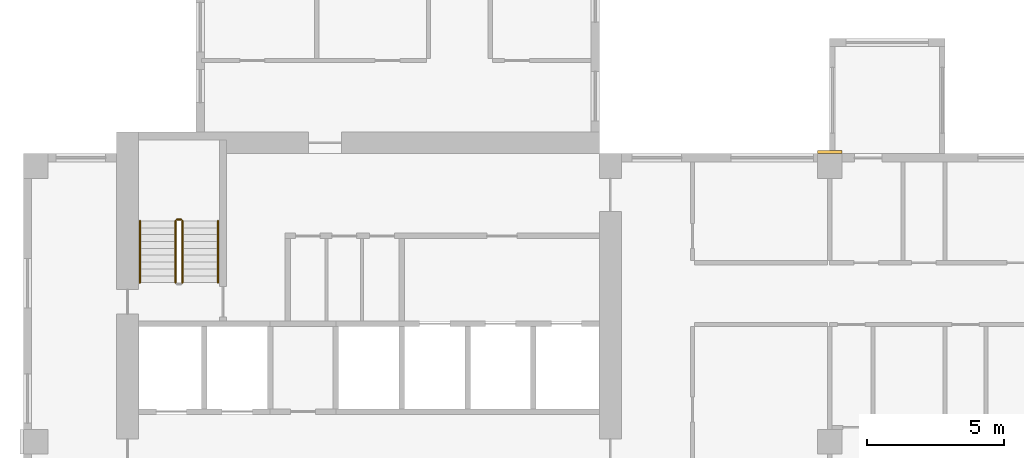
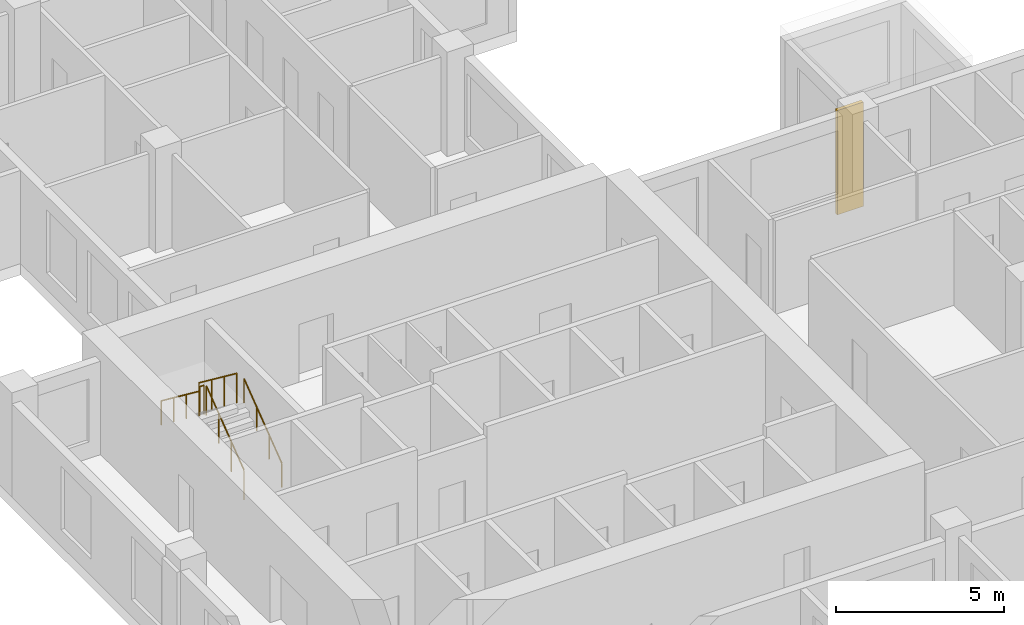
# One storey, part 10 of 12: 5 railings, 1 covering.
"""IFC4 building model written with IfcOpenShell, lengths in metres."""

from ifc_helpers import new_model, si_unit, direction, frame, origin, origin_2d, place, context, subcontext, project, spatial, rectangle, circle, extrude, source, transform, mapped, material, type_object, element, save


model = new_model("IFC4")

# Units and contexts
model_context = context("Model", 3, precision=1e-05, world=origin(), true_north=direction((0.0, 1.0)))
body_context = subcontext(model_context, "Body", "Model", "MODEL_VIEW")
ifc_project = project(units=[si_unit("LENGTHUNIT", "METRE"), si_unit("AREAUNIT", "SQUARE_METRE"), si_unit("VOLUMEUNIT", "CUBIC_METRE"), si_unit("PLANEANGLEUNIT", "RADIAN"), si_unit("MASSUNIT", "GRAM", prefix="KILO")], contexts=[model_context])

# Site, building, storey
site_placement = place(None, origin())
site = spatial("IfcSite", under=ifc_project, at=site_placement, CompositionType="ELEMENT")
building_placement = place(site_placement, origin())
building = spatial("IfcBuilding", under=site, at=building_placement, Name="Aurelian Terraces", CompositionType="ELEMENT")
storey_placement = place(building_placement, frame((0.0, 0.0, 219.6)))
storey = spatial("IfcBuildingStorey", under=building, at=storey_placement, Name="L49", CompositionType="ELEMENT", Elevation=219.6)

# Covering
ifc_material_1 = material(Name="Terracotta rainscreen cladding relief", Category="masonry")
covering_type = type_object("IfcCoveringType", Name="BAGUETTE-TC", PredefinedType="CLADDING", material=ifc_material_1)
shared_shape_1 = source(origin(), body_context, "Body", "SweptSolid", [
    extrude(rectangle(XDim=0.9, YDim=0.12, at=origin_2d()), origin(), (0.0, 0.0, 1.0), 3.8),
])
covering_placement = place(storey_placement, frame((29.4, 21.06, -0.4), z_axis=(0.0, 0.0, 1.0), x_axis=(1.0, 0.0, 0.0)))
element("IfcCovering", 1, at=covering_placement, inside=storey, type_object=covering_type, Name="BAGUETTE pier L49 5", PredefinedType="CLADDING", context=body_context, shape_type="MappedRepresentation", body=[
    mapped(shared_shape_1, transform((0.0, 0.0, 0.0), scale=1.0)),
])

# Railings
ifc_material_2 = material(Name="Stainless steel", Category="steel")
railing_type_1 = type_object("IfcRailingType", Name="Stair guard 1100", PredefinedType="GUARDRAIL", material=ifc_material_2)
shared_shape_2 = source(origin(), body_context, "Body", "SweptSolid", [
    extrude(circle(Radius=0.024, at=origin_2d()), frame((0.0, 0.0, 1.076), z_axis=(-1.0, 0.0, 0.0), x_axis=(0.0, -1.0, 0.0)), (0.0, 0.0, 1.0), 0.15),
    extrude(circle(Radius=0.021, at=origin_2d()), origin(), (0.0, 0.0, 1.0), 1.052),
    extrude(circle(Radius=0.021, at=origin_2d()), frame((-0.15, 0.0, 0.0)), (0.0, 0.0, 1.0), 1.052),
])
railing_1_placement = place(storey_placement, frame((5.75, 18.6, 1.9)))
element("IfcRailing", 2, at=railing_1_placement, inside=storey, type_object=railing_type_1, Name="L49 S1 stair guard 2", PredefinedType="GUARDRAIL", context=body_context, shape_type="MappedRepresentation", body=[
    mapped(shared_shape_2, transform((0.0, 0.0, 0.0), scale=1.0)),
])
shared_shape_3 = source(origin(), body_context, "Body", "SweptSolid", [
    extrude(circle(Radius=0.024, at=origin_2d()), frame((0.0, 0.0, 1.076), z_axis=(0.0, 0.796162194123, 0.605083267534), x_axis=(-1.0, 0.0, 0.0)), (0.0, 0.0, 1.0), 2.8261),
    extrude(circle(Radius=0.021, at=origin_2d()), origin(), (0.0, 0.0, 1.0), 1.052),
    extrude(circle(Radius=0.021, at=origin_2d()), frame((0.0, 0.75, 0.57)), (0.0, 0.0, 1.0), 1.052),
    extrude(circle(Radius=0.021, at=origin_2d()), frame((0.0, 1.5, 1.14)), (0.0, 0.0, 1.0), 1.052),
    extrude(circle(Radius=0.021, at=origin_2d()), frame((0.0, 2.25, 1.71)), (0.0, 0.0, 1.0), 1.052),
])
railing_2_placement = place(storey_placement, frame((5.8, 16.3, 0.19)))
element("IfcRailing", 3, at=railing_2_placement, inside=storey, type_object=railing_type_1, Name="L49 S1 stair guard 1", PredefinedType="GUARDRAIL", context=body_context, shape_type="MappedRepresentation", body=[
    mapped(shared_shape_3, transform((0.0, 0.0, 0.0), scale=1.0)),
])
shared_shape_4 = source(origin(), body_context, "Body", "SweptSolid", [
    extrude(circle(Radius=0.024, at=origin_2d()), frame((0.0, 0.0, 1.076), z_axis=(0.0, -0.796162194123, 0.605083267534), x_axis=(1.0, 0.0, 0.0)), (0.0, 0.0, 1.0), 2.8261),
    extrude(circle(Radius=0.021, at=origin_2d()), origin(), (0.0, 0.0, 1.0), 1.052),
    extrude(circle(Radius=0.021, at=origin_2d()), frame((0.0, -0.75, 0.57)), (0.0, 0.0, 1.0), 1.052),
    extrude(circle(Radius=0.021, at=origin_2d()), frame((0.0, -1.5, 1.14)), (0.0, 0.0, 1.0), 1.052),
    extrude(circle(Radius=0.021, at=origin_2d()), frame((0.0, -2.25, 1.71)), (0.0, 0.0, 1.0), 1.052),
])
railing_3_placement = place(storey_placement, frame((5.55, 18.55, 2.09)))
element("IfcRailing", 4, at=railing_3_placement, inside=storey, type_object=railing_type_1, Name="L49 S1 stair guard 3", PredefinedType="GUARDRAIL", context=body_context, shape_type="MappedRepresentation", body=[
    mapped(shared_shape_4, transform((0.0, 0.0, 0.0), scale=1.0)),
])
railing_type_2 = type_object("IfcRailingType", Name="Stair handrail", PredefinedType="HANDRAIL", material=ifc_material_2)
shared_shape_5 = source(origin(), body_context, "Body", "SweptSolid", [
    extrude(circle(Radius=0.024, at=origin_2d()), frame((0.0, 0.0, 0.876), z_axis=(0.0, 0.796162194123, 0.605083267534), x_axis=(-1.0, 0.0, 0.0)), (0.0, 0.0, 1.0), 2.8261),
    extrude(circle(Radius=0.021, at=origin_2d()), origin(), (0.0, 0.0, 1.0), 0.852),
    extrude(circle(Radius=0.021, at=origin_2d()), frame((0.0, 0.75, 0.57)), (0.0, 0.0, 1.0), 0.852),
    extrude(circle(Radius=0.021, at=origin_2d()), frame((0.0, 1.5, 1.14)), (0.0, 0.0, 1.0), 0.852),
    extrude(circle(Radius=0.021, at=origin_2d()), frame((0.0, 2.25, 1.71)), (0.0, 0.0, 1.0), 0.852),
])
railing_4_placement = place(storey_placement, frame((7.1, 16.3, 0.19)))
element("IfcRailing", 5, at=railing_4_placement, inside=storey, type_object=railing_type_2, Name="L49 S1 stair handrail 1", PredefinedType="HANDRAIL", context=body_context, shape_type="MappedRepresentation", body=[
    mapped(shared_shape_5, transform((0.0, 0.0, 0.0), scale=1.0)),
])
shared_shape_6 = source(origin(), body_context, "Body", "SweptSolid", [
    extrude(circle(Radius=0.024, at=origin_2d()), frame((0.0, 0.0, 0.876), z_axis=(0.0, -0.796162194123, 0.605083267534), x_axis=(1.0, 0.0, 0.0)), (0.0, 0.0, 1.0), 2.8261),
    extrude(circle(Radius=0.021, at=origin_2d()), origin(), (0.0, 0.0, 1.0), 0.852),
    extrude(circle(Radius=0.021, at=origin_2d()), frame((0.0, -0.75, 0.57)), (0.0, 0.0, 1.0), 0.852),
    extrude(circle(Radius=0.021, at=origin_2d()), frame((0.0, -1.5, 1.14)), (0.0, 0.0, 1.0), 0.852),
    extrude(circle(Radius=0.021, at=origin_2d()), frame((0.0, -2.25, 1.71)), (0.0, 0.0, 1.0), 0.852),
])
railing_5_placement = place(storey_placement, frame((4.25, 18.55, 2.09)))
element("IfcRailing", 6, at=railing_5_placement, inside=storey, type_object=railing_type_2, Name="L49 S1 stair handrail 2", PredefinedType="HANDRAIL", context=body_context, shape_type="MappedRepresentation", body=[
    mapped(shared_shape_6, transform((0.0, 0.0, 0.0), scale=1.0)),
])

save(model, "model.ifc")
